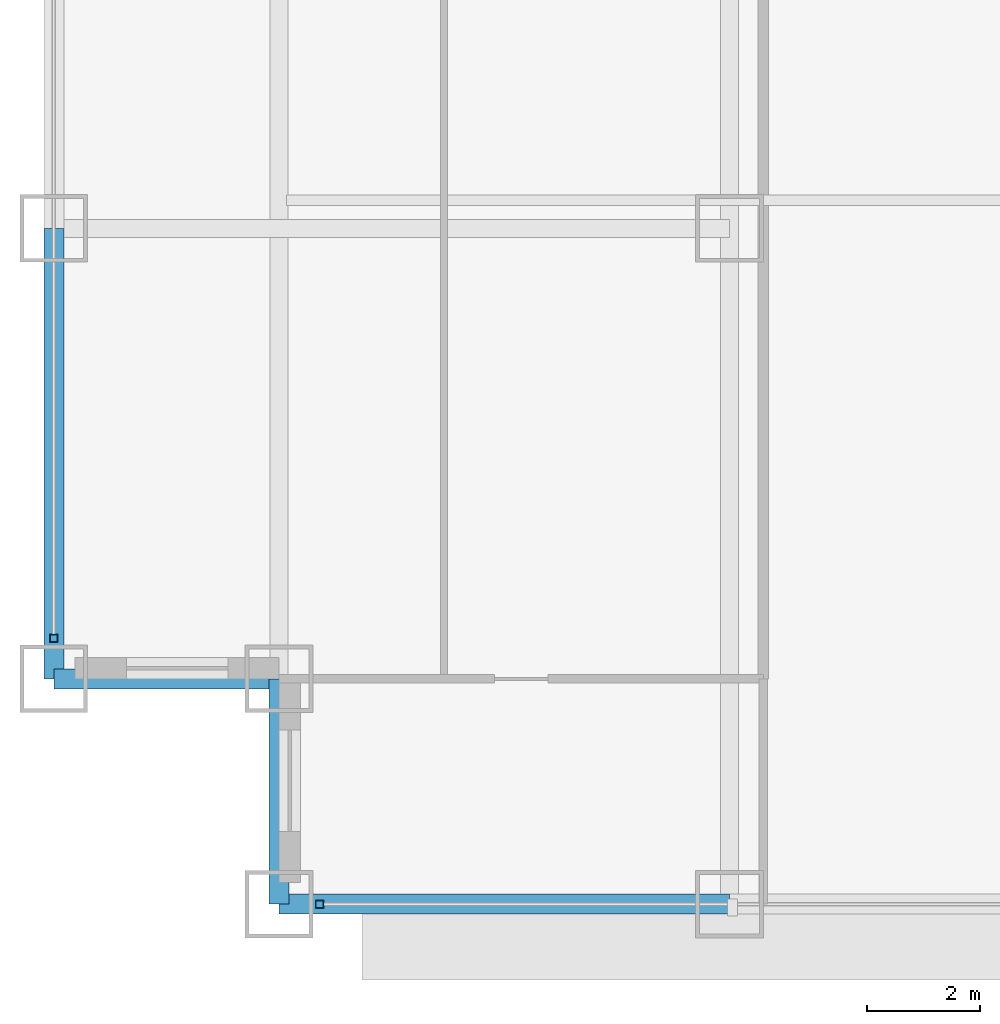
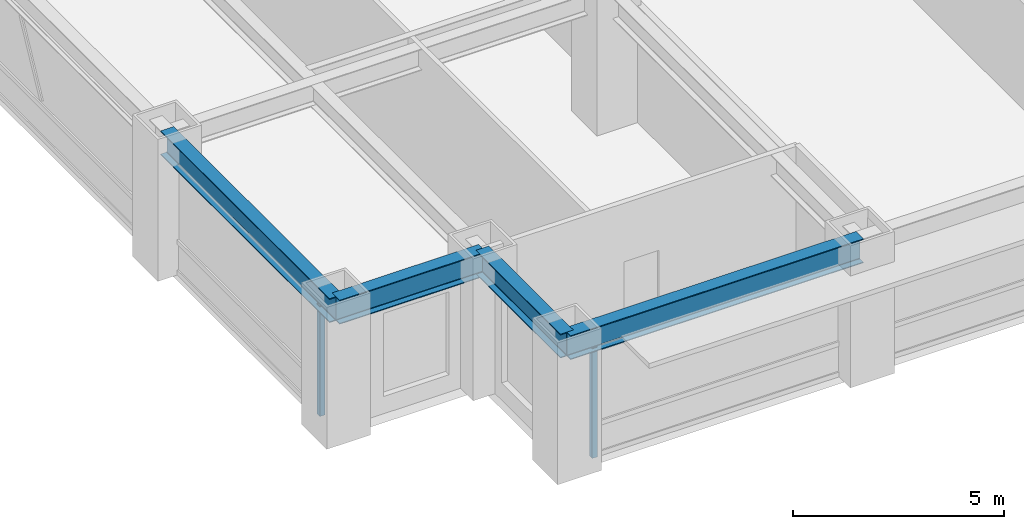
# One storey, part 2 of 32: 4 beams, 2 members, 2 elements without a shape of their own.
"""IFC4 building model written with IfcOpenShell, lengths in metres."""

from ifc_helpers import new_model, si_unit, direction, frame, origin, origin_2d, place, context, subcontext, project, spatial, hollow_rectangle, i_section, extrude, source, transform, mapped, material, material_profile, profile_set, type_object, element, aggregate, save


model = new_model("IFC4")

# Units and contexts
model_context = context("Model", 3, precision=1e-05, world=origin(), true_north=direction((0.0, 1.0)))
body_context = subcontext(model_context, "Body", "Model", "MODEL_VIEW")
ifc_project = project(units=[si_unit("LENGTHUNIT", "METRE"), si_unit("AREAUNIT", "SQUARE_METRE"), si_unit("VOLUMEUNIT", "CUBIC_METRE"), si_unit("PLANEANGLEUNIT", "RADIAN"), si_unit("MASSUNIT", "GRAM", prefix="KILO")], contexts=[model_context])

# Site, building, storey
site_placement = place(None, origin())
site = spatial("IfcSite", under=ifc_project, at=site_placement, CompositionType="ELEMENT")
building_placement = place(site_placement, origin())
building = spatial("IfcBuilding", under=site, at=building_placement, Name="Khorayat Bourse Tower", CompositionType="ELEMENT")
storey_placement = place(building_placement, frame((0.0, 0.0, 132.39990234375)))
storey = spatial("IfcBuildingStorey", under=building, at=storey_placement, Name="L30", CompositionType="ELEMENT", Elevation=132.39990234375)

# Beams
ifc_material_1 = material(Name="Steel ASTM A992 Grade 50", Category="steel")
ifc_material_profile_1 = material_profile(ifc_material_1, i_section(OverallWidth=0.35498046875, OverallDepth=0.695068359375, WebThickness=0.015380859375, FlangeThickness=0.02490234375, FilletRadius=0.01806640625, at=origin_2d()), Name="W690X217")
ifc_profile_set_1 = profile_set([ifc_material_profile_1], Name="Steel ASTM A992 Grade 50")
beam_type = type_object("IfcBeamType", Name="BM-SPAN-690", PredefinedType="SPANDREL", material=ifc_profile_set_1)
shared_shape_1 = source(origin(), body_context, "Body", "SweptSolid", [
    extrude(i_section(OverallWidth=0.35498046875, OverallDepth=0.695068359375, WebThickness=0.015380859375, FlangeThickness=0.02490234375, FilletRadius=0.01806640625, at=origin_2d()), origin(), (0.0, 0.0, 1.0), 8.0),
])
for number, where, z_axis, x_axis, name in (
    (1, (-28.0, -32.0, 3.49267578125), (1.0, 0.0, 0.0), (0.0, 1.0, 0.0), "L30 BM-SPAN-690 BM-L30-SPN-024"),
    (2, (-32.0, -28.0, 3.49267578125), (0.0, 1.0, 0.0), (-1.0, 0.0, 0.0), "L30 BM-SPAN-690 BM-L30-SPN-061"),
):
    element("IfcBeam", number, at=place(storey_placement, frame(where, z_axis=z_axis, x_axis=x_axis)), inside=storey, type_object=beam_type, Name=name, PredefinedType="SPANDREL", context=body_context, shape_type="MappedRepresentation", body=[
        mapped(shared_shape_1, transform((0.0, 0.0, 0.0), scale=1.0)),
    ])
shared_shape_2 = source(origin(), body_context, "Body", "SweptSolid", [
    extrude(i_section(OverallWidth=0.35498046875, OverallDepth=0.695068359375, WebThickness=0.015380859375, FlangeThickness=0.02490234375, FilletRadius=0.01806640625, at=origin_2d()), origin(), (0.0, 0.0, 1.0), 4.0),
])
for number, where, z_axis, x_axis, name in (
    (3, (-32.0, -28.0, 3.49267578125), (1.0, 0.0, 0.0), (0.0, 1.0, 0.0), "L30 BM-SPAN-690 BM-L30-SPN-062"),
    (4, (-28.0, -32.0, 3.49267578125), (0.0, 1.0, 0.0), (-1.0, 0.0, 0.0), "L30 BM-SPAN-690 BM-L30-SPN-063"),
):
    element("IfcBeam", number, at=place(storey_placement, frame(where, z_axis=z_axis, x_axis=x_axis)), inside=storey, type_object=beam_type, Name=name, PredefinedType="SPANDREL", context=body_context, shape_type="MappedRepresentation", body=[
        mapped(shared_shape_2, transform((0.0, 0.0, 0.0), scale=1.0)),
    ])

# Curtain wall, member
ifc_material_2 = material(Name="Aluminium EN AW-6063 T6", Category="aluminium")
curtain_wall_type = type_object("IfcCurtainWallType", Name="CW-SYS-02", PredefinedType="NOTDEFINED", material=ifc_material_2)
curtain_wall_1_placement = place(storey_placement, origin())
curtain_wall_1 = element("IfcCurtainWall", 5, at=curtain_wall_1_placement, inside=storey, type_object=curtain_wall_type, Name="L30 Curtain Wall CW-L30-S1", PredefinedType="NOTDEFINED")
ifc_material_profile_2 = material_profile(ifc_material_2, hollow_rectangle(XDim=0.139892578125, YDim=0.139892578125, WallThickness=0.006103515625, at=origin_2d()), Name="ALU 140x140x6")
ifc_profile_set_2 = profile_set([ifc_material_profile_2], Name="Aluminium EN AW-6063 T6")
member_type = type_object("IfcMemberType", Name="CWM-VERT-140", PredefinedType="MULLION", material=ifc_profile_set_2)
shared_shape_3 = source(origin(), body_context, "Body", "SweptSolid", [
    extrude(hollow_rectangle(XDim=0.139892578125, YDim=0.139892578125, WallThickness=0.006103515625, at=origin_2d()), origin(), (0.0, 0.0, 1.0), 3.190185546875),
])
member_1_placement = place(storey_placement, frame((-27.280029296875, -32.0, 0.0), z_axis=(0.0, 0.0, 1.0), x_axis=(0.0, 1.0, 0.0)))
member_1 = element("IfcMember", 6, at=member_1_placement, type_object=member_type, Name="CW-L30-S1 Vertical Mullion 1", PredefinedType="MULLION", context=body_context, shape_type="MappedRepresentation", body=[
    mapped(shared_shape_3, transform((0.0, 0.0, 0.0), scale=1.0)),
])
aggregate(curtain_wall_1, [member_1])

curtain_wall_2_placement = place(storey_placement, origin())
curtain_wall_2 = element("IfcCurtainWall", 7, at=curtain_wall_2_placement, inside=storey, type_object=curtain_wall_type, Name="L30 Curtain Wall CW-L30-W1", PredefinedType="NOTDEFINED")
member_2_placement = place(storey_placement, frame((-32.0, -27.280029296875, 0.0), z_axis=(0.0, 0.0, 1.0), x_axis=(-1.0, 0.0, 0.0)))
member_2 = element("IfcMember", 8, at=member_2_placement, type_object=member_type, Name="CW-L30-W1 Vertical Mullion 1", PredefinedType="MULLION", context=body_context, shape_type="MappedRepresentation", body=[
    mapped(shared_shape_3, transform((0.0, 0.0, 0.0), scale=1.0)),
])
aggregate(curtain_wall_2, [member_2])

save(model, "model.ifc")
